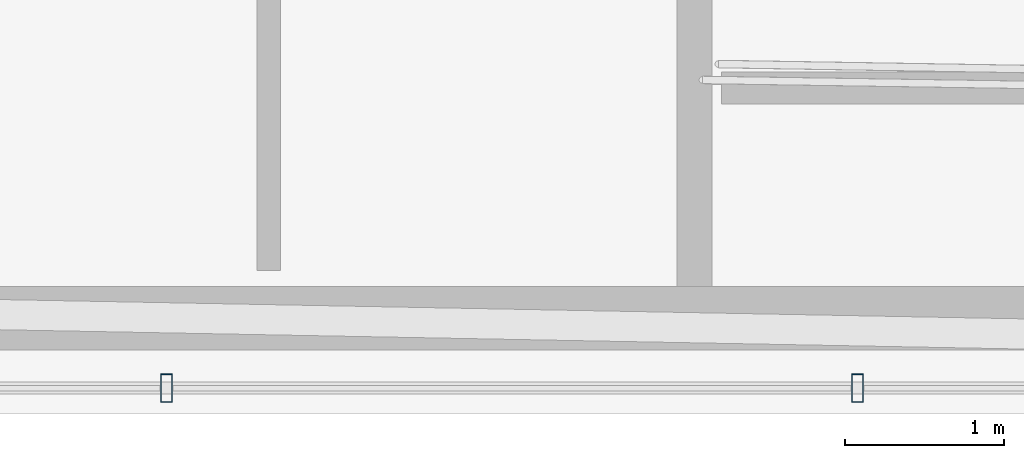
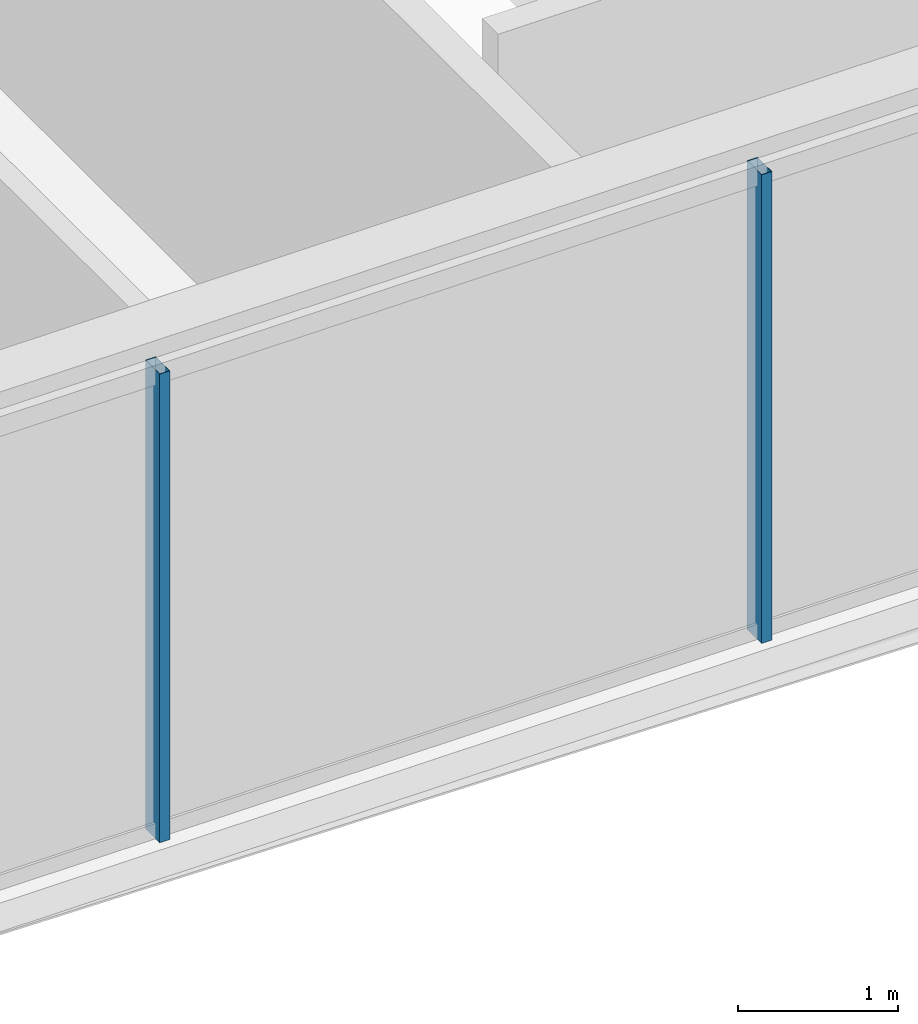
# One storey, part 6 of 29: 2 members, 1 element without a shape of its own.
"""IFC4 building model written with IfcOpenShell, lengths in metres."""

from ifc_helpers import new_model, si_unit, direction, frame, origin, origin_2d, place, context, subcontext, project, spatial, hollow_rectangle, extrude, material, layer, layer_set, material_profile, profile_set, type_object, element, aggregate, save


model = new_model("IFC4")

# Units and contexts
model_context = context("Model", 3, precision=1e-05, world=origin(), true_north=direction((0.0, 1.0)))
body_context = subcontext(model_context, "Body", "Model", "MODEL_VIEW")
ifc_project = project(units=[si_unit("LENGTHUNIT", "METRE"), si_unit("AREAUNIT", "SQUARE_METRE"), si_unit("VOLUMEUNIT", "CUBIC_METRE"), si_unit("PLANEANGLEUNIT", "RADIAN"), si_unit("MASSUNIT", "GRAM", prefix="KILO")], contexts=[model_context])

# Site, building, storey
site_placement = place(None, origin())
site = spatial("IfcSite", under=ifc_project, at=site_placement, CompositionType="ELEMENT")
building_placement = place(site_placement, origin())
building = spatial("IfcBuilding", under=site, at=building_placement, Name="Ndaravel Arena Tower", CompositionType="ELEMENT")
storey_placement = place(building_placement, frame((0.0, 0.0, 233.199951171875)))
storey = spatial("IfcBuildingStorey", under=building, at=storey_placement, Name="L56", CompositionType="ELEMENT", Elevation=233.199951171875)

# Curtain wall, members
ifc_material_1 = material(Name="Aluminium", Category="aluminium")
ifc_layer = layer(ifc_material_1, 0.179931640625)
ifc_layer_set = layer_set([ifc_layer], Name="Aluminium")
curtain_wall_type = type_object("IfcCurtainWallType", Name="CW-SYS-03", PredefinedType="NOTDEFINED", material=ifc_layer_set)
curtain_wall_placement = place(storey_placement, origin())
curtain_wall = element("IfcCurtainWall", 1, at=curtain_wall_placement, inside=storey, type_object=curtain_wall_type, Name="L56 Faceted Crystal Curtain Wall CW-L56-E01", PredefinedType="NOTDEFINED")
ifc_material_2 = material(Name="Aluminium", Category="aluminium")
ifc_material_profile = material_profile(ifc_material_2, hollow_rectangle(XDim=0.074951171875, YDim=0.179931640625, WallThickness=0.00390625, at=origin_2d()), Name="CW MULLION 75x180x4")
ifc_profile_set = profile_set([ifc_material_profile], Name="Aluminium")
member_type = type_object("IfcMemberType", Name="MEM-CW-MUL180", PredefinedType="MULLION", material=ifc_profile_set)
member_1_placement = place(storey_placement, frame((35.47705078125, 5.159912109375, 0.0), z_axis=(0.0, 0.0, 1.0), x_axis=(1.0, 0.0, 0.0)))
member_1 = element("IfcMember", 2, at=member_1_placement, type_object=member_type, Name="CW-L56-E01 Mullion 03", PredefinedType="MULLION", context=body_context, shape_type="SweptSolid", body=[
    extrude(hollow_rectangle(XDim=0.074951171875, YDim=0.179931640625, WallThickness=0.00390625, at=origin_2d()), origin(), (0.0, 0.0, 1.0), 3.580078125),
])
member_2_placement = place(storey_placement, frame((39.82568359375, 5.159912109375, 0.0), z_axis=(0.0, 0.0, 1.0), x_axis=(1.0, 0.0, 0.0)))
member_2 = element("IfcMember", 3, at=member_2_placement, type_object=member_type, Name="CW-L56-E01 Mullion 04", PredefinedType="MULLION", context=body_context, shape_type="SweptSolid", body=[
    extrude(hollow_rectangle(XDim=0.074951171875, YDim=0.179931640625, WallThickness=0.00390625, at=origin_2d()), origin(), (0.0, 0.0, 1.0), 3.580078125),
])
aggregate(curtain_wall, [member_1, member_2])

save(model, "model.ifc")
